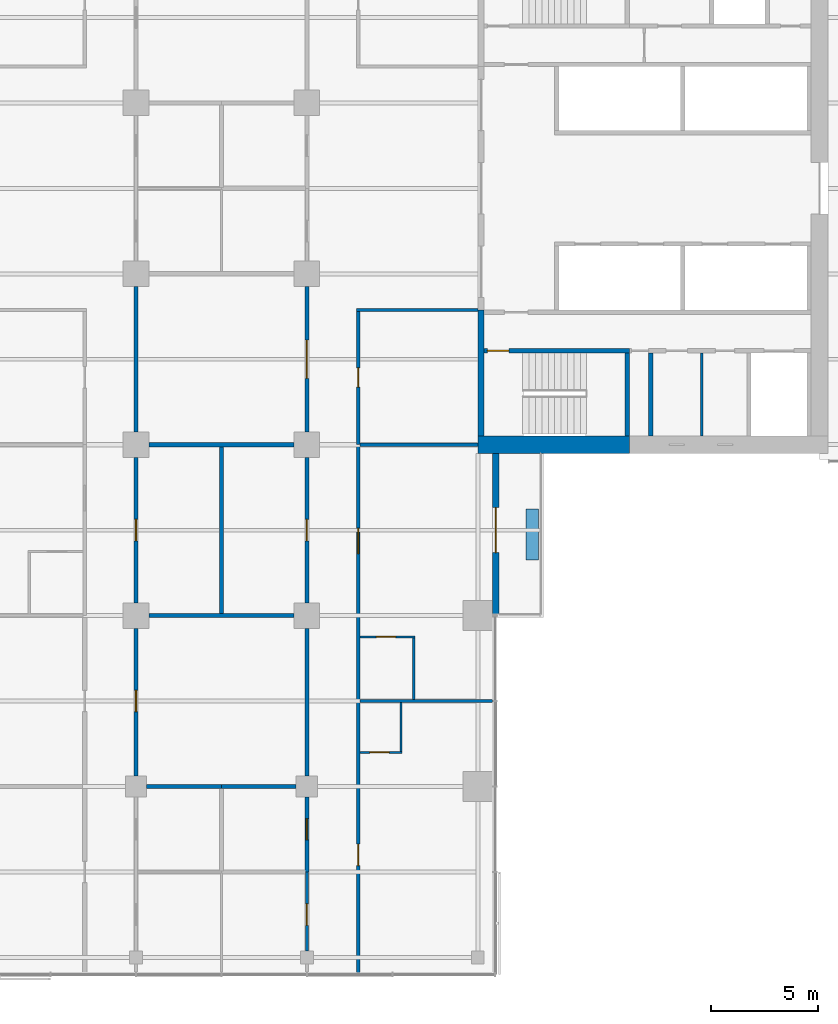
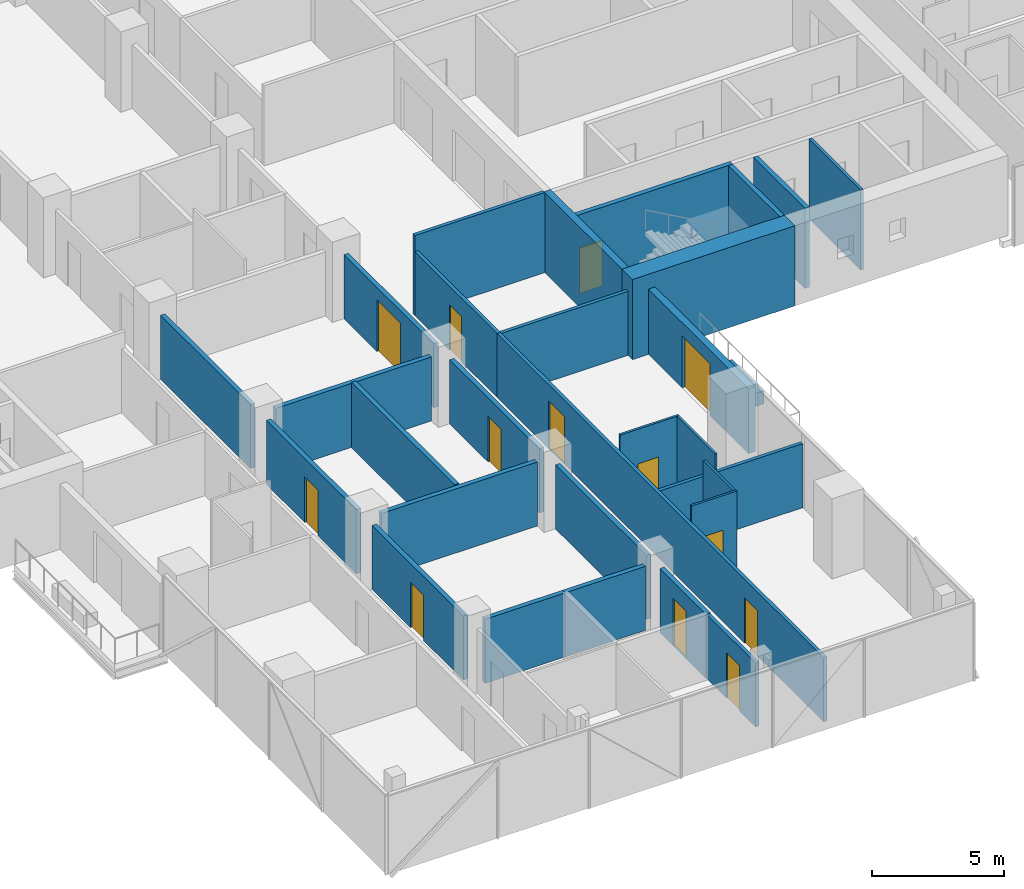
# One storey, part 16 of 27: 30 walls, 13 doors, 13 openings.
"""IFC4 building model written with IfcOpenShell, lengths in metres."""

from ifc_helpers import new_model, si_unit, direction, frame, frame_2d, origin, place, context, subcontext, project, spatial, rectangle, extrude, material, layer, layer_set, constituent, constituent_set, type_object, element, fill, save


model = new_model("IFC4")

# Units and contexts
model_context = context("Model", 3, precision=1e-05, world=origin(), true_north=direction((0.0, 1.0)))
body_context = subcontext(model_context, "Body", "Model", "MODEL_VIEW")
ifc_project = project(units=[si_unit("LENGTHUNIT", "METRE"), si_unit("AREAUNIT", "SQUARE_METRE"), si_unit("VOLUMEUNIT", "CUBIC_METRE"), si_unit("PLANEANGLEUNIT", "RADIAN"), si_unit("MASSUNIT", "GRAM", prefix="KILO")], contexts=[model_context])

# Site, building, storey
site_placement = place(None, origin())
site = spatial("IfcSite", under=ifc_project, at=site_placement, CompositionType="ELEMENT")
building_placement = place(site_placement, origin())
building = spatial("IfcBuilding", under=site, at=building_placement, Name="Crosswind Convention Tower", CompositionType="ELEMENT")
storey_placement = place(building_placement, frame((0.0, 0.0, 94.199951171875)))
storey = spatial("IfcBuildingStorey", under=building, at=storey_placement, Name="L18", CompositionType="ELEMENT", Elevation=94.199951171875)

# Walls
ifc_material_1 = material(Name="Concrete blockwork", Category="masonry")
ifc_layer_1 = layer(ifc_material_1, 0.199951171875)
ifc_layer_set_1 = layer_set([ifc_layer_1], Name="Blockwork partition wall 200")
wall_type_1 = type_object("IfcWallType", Name="Blockwork partition wall 200", PredefinedType="PARTITIONING", material=ifc_layer_set_1)
wall_1_placement = place(storey_placement, frame((145.10009765625, 88.39990234375, 0.0), z_axis=(0.0, 0.0, 1.0), x_axis=(0.0, 1.0, 0.0)))
element("IfcWall", 1, at=wall_1_placement, inside=storey, type_object=wall_type_1, Name="Wall MRSE E L18", PredefinedType="PARTITIONING", context=body_context, shape_type="SweptSolid", body=[
    extrude(rectangle(XDim=3.900146484375, YDim=0.199951171875, at=frame_2d((1.9501953125, 0.0))), origin(), (0.0, 0.0, 1.0), 3.699951171875),
])
ifc_layer_2 = layer(ifc_material_1, 0.199951171875)
ifc_layer_set_2 = layer_set([ifc_layer_2], Name="COMPARTMENT WALL 200")
wall_type_2 = type_object("IfcWallType", Name="COMPARTMENT WALL 200", PredefinedType="SOLIDWALL", material=ifc_layer_set_2)
wall_2_placement = place(storey_placement, frame((125.0, 72.0, 0.0), z_axis=(0.0, 0.0, 1.0), x_axis=(1.0, 0.0, 0.0)))
element("IfcWall", 2, at=wall_2_placement, inside=storey, type_object=wall_type_2, Name="Compartment Wall 5", PredefinedType="SOLIDWALL", context=body_context, shape_type="SweptSolid", body=[
    extrude(rectangle(XDim=3.5, YDim=0.199951171875, at=frame_2d((1.75, 0.0))), origin(), (0.0, 0.0, 1.0), 2.9599609375),
])

# Wall, opening, door
wall_3_placement = place(storey_placement, frame((129.0, 68.0, 0.0), z_axis=(0.0, 0.0, 1.0), x_axis=(0.0, 1.0, 0.0)))
wall_3 = element("IfcWall", 3, at=wall_3_placement, inside=storey, type_object=wall_type_2, Name="Compartment Wall 103", PredefinedType="SOLIDWALL", context=body_context, shape_type="SweptSolid", body=[
    extrude(rectangle(XDim=3.5, YDim=0.199951171875, at=frame_2d((1.75, 0.0))), origin(), (0.0, 0.0, 1.0), 2.9599609375),
])
opening_1_placement = place(wall_3_placement, frame((1.5, 0.0, 0.0)))
opening_1 = element("IfcOpeningElement", 4, at=opening_1_placement, cuts=wall_3, Name="Opening 18.053", PredefinedType="OPENING", context=body_context, shape_type="SweptSolid", body=[
    extrude(rectangle(XDim=1.0, YDim=2.199951171875, at=frame_2d((0.5, 1.10009765625))), frame((0.0, 0.10986328125, 0.0), z_axis=(0.0, -1.0, 0.0), x_axis=(1.0, 0.0, 0.0)), (0.0, 0.0, 1.0), 0.219970703125),
])
ifc_material_2 = material(Name="Steel fire door", Category="steel")
door_type_1 = type_object("IfcDoorType", Name="PLANT ROOM DOOR 1000X2200", OperationType="NOTDEFINED", PredefinedType="DOOR", material=ifc_material_2)
door_1_placement = place(opening_1_placement, origin())
door_1 = element("IfcDoor", 5, at=door_1_placement, inside=storey, type_object=door_type_1, Name="Door 18.053", ObjectType="D6", OperationType="SINGLE_SWING_RIGHT", OverallHeight=2.199951171875, OverallWidth=1.0, PredefinedType="DOOR", context=body_context, shape_type="SweptSolid", body=[
    extrude(rectangle(XDim=1.0, YDim=2.199951171875, at=frame_2d((0.5, 1.10009765625))), frame((0.0, 0.02490234375, 0.0), z_axis=(0.0, -1.0, 0.0), x_axis=(1.0, 0.0, 0.0)), (0.0, 0.0, 1.0), 0.050048828125),
])
fill(opening_1, door_1)

# Wall
ifc_material_3 = material(Name="Plasterboard partition", Category="gypsum")
ifc_layer_3 = layer(ifc_material_3, 0.14990234375)
ifc_layer_set_3 = layer_set([ifc_layer_3], Name="CORRIDOR WALL 150")
wall_type_3 = type_object("IfcWallType", Name="CORRIDOR WALL 150", PredefinedType="PARTITIONING", material=ifc_layer_set_3)
wall_4_placement = place(storey_placement, frame((131.324951171875, 94.300048828125, 0.0), z_axis=(0.0, 0.0, 1.0), x_axis=(1.0, 0.0, 0.0)))
element("IfcWall", 6, at=wall_4_placement, inside=storey, type_object=wall_type_3, Name="Corridor Wall 19", PredefinedType="PARTITIONING", context=body_context, shape_type="SweptSolid", body=[
    extrude(rectangle(XDim=5.675048828125, YDim=0.14990234375, at=frame_2d((2.83740234375, 0.0))), origin(), (0.0, 0.0, 1.0), 3.699951171875),
])

# Wall, opening, door
wall_5_placement = place(storey_placement, frame((129.0, 64.300048828125, 0.0), z_axis=(0.0, 0.0, 1.0), x_axis=(0.0, 1.0, 0.0)))
wall_5 = element("IfcWall", 7, at=wall_5_placement, inside=storey, type_object=wall_type_3, Name="Corridor Wall 102", PredefinedType="PARTITIONING", context=body_context, shape_type="SweptSolid", body=[
    extrude(rectangle(XDim=3.699951171875, YDim=0.14990234375, at=frame_2d((1.85009765625, 0.0))), origin(), (0.0, 0.0, 1.0), 2.9599609375),
])
opening_2_placement = place(wall_5_placement, frame((1.199951171875, 0.0, 0.0)))
opening_2 = element("IfcOpeningElement", 8, at=opening_2_placement, cuts=wall_5, Name="Opening 18.052", PredefinedType="OPENING", context=body_context, shape_type="SweptSolid", body=[
    extrude(rectangle(XDim=1.0, YDim=2.10009765625, at=frame_2d((0.5, 1.050048828125))), frame((0.0, 0.0849609375, 0.0), z_axis=(0.0, -1.0, 0.0), x_axis=(1.0, 0.0, 0.0)), (0.0, 0.0, 1.0), 0.169921875),
])
ifc_material_4 = material(Name="Timber fire door", Category="wood")
door_type_2 = type_object("IfcDoorType", Name="SERVICE ROOM DOOR 1000X2100", OperationType="NOTDEFINED", PredefinedType="DOOR", material=ifc_material_4)
door_2_placement = place(opening_2_placement, origin())
door_2 = element("IfcDoor", 9, at=door_2_placement, inside=storey, type_object=door_type_2, Name="Door 18.052", ObjectType="D3", OperationType="SINGLE_SWING_LEFT", OverallHeight=2.10009765625, OverallWidth=1.0, PredefinedType="DOOR", context=body_context, shape_type="SweptSolid", body=[
    extrude(rectangle(XDim=1.0, YDim=2.10009765625, at=frame_2d((0.5, 1.050048828125))), frame((0.0, 0.02490234375, 0.0), z_axis=(0.0, -1.0, 0.0), x_axis=(1.0, 0.0, 0.0)), (0.0, 0.0, 1.0), 0.050048828125),
])
fill(opening_2, door_2)

wall_6_placement = place(storey_placement, frame((131.39990234375, 88.0, 0.0), z_axis=(0.0, 0.0, 1.0), x_axis=(0.0, 1.0, 0.0)))
wall_6 = element("IfcWall", 10, at=wall_6_placement, inside=storey, type_object=wall_type_3, Name="Corridor Wall 115", PredefinedType="PARTITIONING", context=body_context, shape_type="SweptSolid", body=[
    extrude(rectangle(XDim=6.22509765625, YDim=0.14990234375, at=frame_2d((3.112548828125, 0.0))), origin(), (0.0, 0.0, 1.0), 2.95654296875),
])
opening_3_placement = place(wall_6_placement, frame((2.699951171875, 0.0, 0.0)))
opening_3 = element("IfcOpeningElement", 11, at=opening_3_placement, cuts=wall_6, Name="Opening 18.002", PredefinedType="OPENING", context=body_context, shape_type="SweptSolid", body=[
    extrude(rectangle(XDim=0.89990234375, YDim=2.10009765625, at=frame_2d((0.449951171875, 1.050048828125))), frame((0.0, 0.0849609375, 0.0), z_axis=(0.0, -1.0, 0.0), x_axis=(1.0, 0.0, 0.0)), (0.0, 0.0, 1.0), 0.169921875),
])
ifc_material_5 = material(Name="Timber door", Category="wood")
door_type_3 = type_object("IfcDoorType", Name="WC DOOR 900X2100", OperationType="NOTDEFINED", PredefinedType="DOOR", material=ifc_material_5)
door_3_placement = place(opening_3_placement, frame((0.89990234375, 0.0, 0.0), z_axis=(0.0, 0.0, 1.0), x_axis=(-1.0, 0.0, 0.0)))
door_3 = element("IfcDoor", 12, at=door_3_placement, inside=storey, type_object=door_type_3, Name="Door 18.002", ObjectType="D7", OperationType="SINGLE_SWING_LEFT", OverallHeight=2.10009765625, OverallWidth=0.89990234375, PredefinedType="DOOR", context=body_context, shape_type="SweptSolid", body=[
    extrude(rectangle(XDim=0.89990234375, YDim=2.10009765625, at=frame_2d((0.449951171875, 1.050048828125))), frame((0.0, 0.02490234375, 0.0), z_axis=(0.0, -1.0, 0.0), x_axis=(1.0, 0.0, 0.0)), (0.0, 0.0, 1.0), 0.050048828125),
])
fill(opening_3, door_3)

# Walls
ifc_material_6 = material(Name="Concrete C50/60", Category="concrete")
ifc_layer_4 = layer(ifc_material_6, 0.300048828125)
ifc_layer_set_4 = layer_set([ifc_layer_4], Name="Concrete C50/60")
wall_type_4 = type_object("IfcWallType", Name="Concrete inner core wall 300", PredefinedType="SHEAR", material=ifc_layer_set_4)
wall_7_placement = place(storey_placement, frame((137.14990234375, 88.39990234375, 0.0), z_axis=(0.0, 0.0, 1.0), x_axis=(0.0, 1.0, 0.0)))
element("IfcWall", 13, at=wall_7_placement, inside=storey, type_object=wall_type_4, Name="Wall EM E L18", PredefinedType="SHEAR", context=body_context, shape_type="SweptSolid", body=[
    extrude(rectangle(XDim=5.900146484375, YDim=0.300048828125, at=frame_2d((2.9501953125, 0.0))), origin(), (0.0, 0.0, 1.0), 3.699951171875),
])
ifc_layer_5 = layer(ifc_material_6, 0.199951171875)
ifc_layer_set_5 = layer_set([ifc_layer_5], Name="Concrete C50/60")
wall_type_5 = type_object("IfcWallType", Name="Concrete shaft and stair wall 200", PredefinedType="SHEAR", material=ifc_layer_set_5)
wall_8_placement = place(storey_placement, frame((144.0, 88.39990234375, 0.0), z_axis=(0.0, 0.0, 1.0), x_axis=(0.0, 1.0, 0.0)))
element("IfcWall", 14, at=wall_8_placement, inside=storey, type_object=wall_type_5, Name="Wall MSE E L18", PredefinedType="SHEAR", context=body_context, shape_type="SweptSolid", body=[
    extrude(rectangle(XDim=3.900146484375, YDim=0.199951171875, at=frame_2d((1.9501953125, 0.0))), origin(), (0.0, 0.0, 1.0), 3.699951171875),
])

# Wall, opening, door
wall_9_placement = place(storey_placement, frame((137.300048828125, 92.39990234375, 0.0), z_axis=(0.0, 0.0, 1.0), x_axis=(1.0, 0.0, 0.0)))
wall_9 = element("IfcWall", 15, at=wall_9_placement, inside=storey, type_object=wall_type_5, Name="Wall MCW E L18", PredefinedType="SHEAR", context=body_context, shape_type="SweptSolid", body=[
    extrude(rectangle(XDim=6.800048828125, YDim=0.199951171875, at=frame_2d((3.39990234375, 0.0))), origin(), (0.0, 0.0, 1.0), 3.699951171875),
])
opening_4_placement = place(wall_9_placement, frame((0.14990234375, 0.0, 0.0)))
opening_4 = element("IfcOpeningElement", 16, at=opening_4_placement, cuts=wall_9, Name="Opening D103", PredefinedType="OPENING", context=body_context, shape_type="SweptSolid", body=[
    extrude(rectangle(XDim=1.0, YDim=2.10009765625, at=frame_2d((0.5, 1.050048828125))), frame((0.0, 0.10986328125, 0.0), z_axis=(0.0, -1.0, 0.0), x_axis=(1.0, 0.0, 0.0)), (0.0, 0.0, 1.0), 0.219970703125),
])
door_type_4 = type_object("IfcDoorType", Name="Fire-rated single door 1000x2100", OperationType="NOTDEFINED", PredefinedType="DOOR", material=ifc_material_2)
door_4_placement = place(opening_4_placement, frame((1.0, 0.0, 0.0), z_axis=(0.0, 0.0, 1.0), x_axis=(-1.0, 0.0, 0.0)))
door_4 = element("IfcDoor", 17, at=door_4_placement, inside=storey, type_object=door_type_4, Name="Stair ST2 door L18", ObjectType="D103", OperationType="SINGLE_SWING_RIGHT", OverallHeight=2.10009765625, OverallWidth=1.0, PredefinedType="DOOR", context=body_context, shape_type="SweptSolid", body=[
    extrude(rectangle(XDim=1.0, YDim=2.10009765625, at=frame_2d((0.5, 1.050048828125))), frame((0.0, 0.02490234375, 0.0), z_axis=(0.0, -1.0, 0.0), x_axis=(1.0, 0.0, 0.0)), (0.0, 0.0, 1.0), 0.050048828125),
])
fill(opening_4, door_4)

# Walls
ifc_material_7 = material(Name="Gypsum plasterboard partition", Category="gypsum")
ifc_layer_6 = layer(ifc_material_7, 0.125)
ifc_layer_set_6 = layer_set([ifc_layer_6], Name="Drywall partition wall 125")
wall_type_6 = type_object("IfcWallType", Name="Drywall partition wall 125", PredefinedType="PARTITIONING", material=ifc_layer_set_6)
wall_10_placement = place(storey_placement, frame((147.488037109375, 88.39990234375, 0.0), z_axis=(0.0, 0.0, 1.0), x_axis=(0.0, 1.0, 0.0)))
element("IfcWall", 18, at=wall_10_placement, inside=storey, type_object=wall_type_6, Name="Wall MWP1 E L18", PredefinedType="PARTITIONING", context=body_context, shape_type="SweptSolid", body=[
    extrude(rectangle(XDim=3.900146484375, YDim=0.125, at=frame_2d((1.9501953125, 0.0))), origin(), (0.0, 0.0, 1.0), 3.699951171875),
])
ifc_material_8 = material(Name="Acoustic plasterboard partition", Category="gypsum")
ifc_layer_7 = layer(ifc_material_8, 0.14990234375)
ifc_layer_set_7 = layer_set([ifc_layer_7], Name="GUEST ROOM WALL 150")
wall_type_7 = type_object("IfcWallType", Name="GUEST ROOM WALL 150", PredefinedType="PARTITIONING", material=ifc_layer_set_7)
wall_11_placement = place(storey_placement, frame((131.47509765625, 76.0, 0.0), z_axis=(0.0, 0.0, 1.0), x_axis=(1.0, 0.0, 0.0)))
element("IfcWall", 19, at=wall_11_placement, inside=storey, type_object=wall_type_7, Name="Guest Room Wall 7", PredefinedType="PARTITIONING", context=body_context, shape_type="SweptSolid", body=[
    extrude(rectangle(XDim=6.224853515625, YDim=0.14990234375, at=frame_2d((3.1123046875, 0.0))), origin(), (0.0, 0.0, 1.0), 2.962890625),
])
wall_12_placement = place(storey_placement, frame((131.47509765625, 88.0, 0.0), z_axis=(0.0, 0.0, 1.0), x_axis=(1.0, 0.0, 0.0)))
element("IfcWall", 20, at=wall_12_placement, inside=storey, type_object=wall_type_7, Name="Guest Room Wall 14", PredefinedType="PARTITIONING", context=body_context, shape_type="SweptSolid", body=[
    extrude(rectangle(XDim=5.52490234375, YDim=0.14990234375, at=frame_2d((2.762451171875, 0.0))), origin(), (0.0, 0.0, 1.0), 2.95654296875),
])

# Wall, openings, doors
wall_13_placement = place(storey_placement, frame((131.39990234375, 63.300048828125, 0.0), z_axis=(0.0, 0.0, 1.0), x_axis=(0.0, 1.0, 0.0)))
wall_13 = element("IfcWall", 21, at=wall_13_placement, inside=storey, type_object=wall_type_7, Name="Guest Room Wall 114", PredefinedType="PARTITIONING", context=body_context, shape_type="SweptSolid", body=[
    extrude(rectangle(XDim=24.699951171875, YDim=0.14990234375, at=frame_2d((12.35009765625, 0.0))), origin(), (0.0, 0.0, 1.0), 2.95654296875),
])
opening_5_placement = place(wall_13_placement, frame((19.60009765625, 0.0, 0.0)))
opening_5 = element("IfcOpeningElement", 22, at=opening_5_placement, cuts=wall_13, Name="Opening 18.020", PredefinedType="OPENING", context=body_context, shape_type="SweptSolid", body=[
    extrude(rectangle(XDim=1.199951171875, YDim=2.199951171875, at=frame_2d((0.60009765625, 1.10009765625))), frame((0.0, 0.0849609375, 0.0), z_axis=(0.0, -1.0, 0.0), x_axis=(1.0, 0.0, 0.0)), (0.0, 0.0, 1.0), 0.169921875),
])
opening_6_placement = place(wall_13_placement, frame((5.0, 0.0, 0.0)))
opening_6 = element("IfcOpeningElement", 23, at=opening_6_placement, cuts=wall_13, Name="Opening 18.022", PredefinedType="OPENING", context=body_context, shape_type="SweptSolid", body=[
    extrude(rectangle(XDim=1.0, YDim=2.10009765625, at=frame_2d((0.5, 1.050048828125))), frame((0.0, 0.0849609375, 0.0), z_axis=(0.0, -1.0, 0.0), x_axis=(1.0, 0.0, 0.0)), (0.0, 0.0, 1.0), 0.169921875),
])
door_type_5 = type_object("IfcDoorType", Name="GUEST ROOM DOOR 1000X2100", OperationType="NOTDEFINED", PredefinedType="DOOR", material=ifc_material_4)
door_5_placement = place(opening_6_placement, frame((1.0, 0.0, 0.0), z_axis=(0.0, 0.0, 1.0), x_axis=(-1.0, 0.0, 0.0)))
door_5 = element("IfcDoor", 24, at=door_5_placement, inside=storey, type_object=door_type_5, Name="Door 18.022", ObjectType="D1", OperationType="SINGLE_SWING_LEFT", OverallHeight=2.10009765625, OverallWidth=1.0, PredefinedType="DOOR", context=body_context, shape_type="SweptSolid", body=[
    extrude(rectangle(XDim=1.0, YDim=2.10009765625, at=frame_2d((0.5, 1.050048828125))), frame((0.0, 0.02490234375, 0.0), z_axis=(0.0, -1.0, 0.0), x_axis=(1.0, 0.0, 0.0)), (0.0, 0.0, 1.0), 0.050048828125),
])
fill(opening_6, door_5)
door_type_6 = type_object("IfcDoorType", Name="SUITE DOOR 1200X2200", OperationType="DOUBLE_DOOR_SINGLE_SWING", PredefinedType="DOOR", material=ifc_material_4)
door_6_placement = place(opening_5_placement, frame((1.199951171875, 0.0, 0.0), z_axis=(0.0, 0.0, 1.0), x_axis=(-1.0, 0.0, 0.0)))
door_6 = element("IfcDoor", 25, at=door_6_placement, inside=storey, type_object=door_type_6, Name="Door 18.020", ObjectType="D14", OperationType="DOUBLE_DOOR_SINGLE_SWING", OverallHeight=2.199951171875, OverallWidth=1.199951171875, PredefinedType="DOOR", context=body_context, shape_type="SweptSolid", body=[
    extrude(rectangle(XDim=1.199951171875, YDim=2.199951171875, at=frame_2d((0.60009765625, 1.10009765625))), frame((0.0, 0.02490234375, 0.0), z_axis=(0.0, -1.0, 0.0), x_axis=(1.0, 0.0, 0.0)), (0.0, 0.0, 1.0), 0.050048828125),
])
fill(opening_5, door_6)

# Walls
ifc_material_9 = material(Name="Double plasterboard partition", Category="gypsum")
ifc_layer_8 = layer(ifc_material_9, 0.199951171875)
ifc_layer_set_8 = layer_set([ifc_layer_8], Name="HALL WALL 200")
wall_type_8 = type_object("IfcWallType", Name="HALL WALL 200", PredefinedType="PARTITIONING", material=ifc_layer_set_8)
wall_14_placement = place(storey_placement, frame((121.5, 72.0, 0.0), z_axis=(0.0, 0.0, 1.0), x_axis=(1.0, 0.0, 0.0)))
element("IfcWall", 26, at=wall_14_placement, inside=storey, type_object=wall_type_8, Name="Hall Wall 4", PredefinedType="PARTITIONING", context=body_context, shape_type="SweptSolid", body=[
    extrude(rectangle(XDim=3.5, YDim=0.199951171875, at=frame_2d((1.75, 0.0))), origin(), (0.0, 0.0, 1.0), 2.9599609375),
])
for number, where, z_axis, x_axis, name in (
    (27, (121.60009765625, 80.0, 0.0), (0.0, 0.0, 1.0), (1.0, 0.0, 0.0), "Hall Wall 10"),
    (28, (121.60009765625, 88.0, 0.0), (0.0, 0.0, 1.0), (1.0, 0.0, 0.0), "Hall Wall 13"),
):
    element("IfcWall", number, at=place(storey_placement, frame(where, z_axis=z_axis, x_axis=x_axis)), inside=storey, type_object=wall_type_8, Name=name, PredefinedType="PARTITIONING", context=body_context, shape_type="SweptSolid", body=[
        extrude(rectangle(XDim=6.7998046875, YDim=0.199951171875, at=frame_2d((3.39990234375, 0.0))), origin(), (0.0, 0.0, 1.0), 2.9599609375),
    ])

# Wall, opening, door
wall_15_placement = place(storey_placement, frame((121.0, 72.5, 0.0), z_axis=(0.0, 0.0, 1.0), x_axis=(0.0, 1.0, 0.0)))
wall_15 = element("IfcWall", 29, at=wall_15_placement, inside=storey, type_object=wall_type_8, Name="Hall Wall 85", PredefinedType="PARTITIONING", context=body_context, shape_type="SweptSolid", body=[
    extrude(rectangle(XDim=6.89990234375, YDim=0.199951171875, at=frame_2d((3.449951171875, 0.0))), origin(), (0.0, 0.0, 1.0), 2.9599609375),
])
opening_7_placement = place(wall_15_placement, frame((3.0, 0.0, 0.0)))
opening_7 = element("IfcOpeningElement", 30, at=opening_7_placement, cuts=wall_15, Name="Opening 18.054", PredefinedType="OPENING", context=body_context, shape_type="SweptSolid", body=[
    extrude(rectangle(XDim=1.0, YDim=2.10009765625, at=frame_2d((0.5, 1.050048828125))), frame((0.0, 0.10986328125, 0.0), z_axis=(0.0, -1.0, 0.0), x_axis=(1.0, 0.0, 0.0)), (0.0, 0.0, 1.0), 0.219970703125),
])
door_type_7 = type_object("IfcDoorType", Name="MEETING ROOM DOOR 1000X2100", OperationType="NOTDEFINED", PredefinedType="DOOR", material=ifc_material_4)
door_7_placement = place(opening_7_placement, origin())
door_7 = element("IfcDoor", 31, at=door_7_placement, inside=storey, type_object=door_type_7, Name="Door 18.054", ObjectType="D13", OperationType="SINGLE_SWING_RIGHT", OverallHeight=2.10009765625, OverallWidth=1.0, PredefinedType="DOOR", context=body_context, shape_type="SweptSolid", body=[
    extrude(rectangle(XDim=1.0, YDim=2.10009765625, at=frame_2d((0.5, 1.050048828125))), frame((0.0, 0.02490234375, 0.0), z_axis=(0.0, -1.0, 0.0), x_axis=(1.0, 0.0, 0.0)), (0.0, 0.0, 1.0), 0.050048828125),
])
fill(opening_7, door_7)

wall_16_placement = place(storey_placement, frame((121.0, 80.60009765625, 0.0), z_axis=(0.0, 0.0, 1.0), x_axis=(0.0, 1.0, 0.0)))
wall_16 = element("IfcWall", 32, at=wall_16_placement, inside=storey, type_object=wall_type_8, Name="Hall Wall 86", PredefinedType="PARTITIONING", context=body_context, shape_type="SweptSolid", body=[
    extrude(rectangle(XDim=6.7998046875, YDim=0.199951171875, at=frame_2d((3.39990234375, 0.0))), origin(), (0.0, 0.0, 1.0), 2.9599609375),
])
opening_8_placement = place(wall_16_placement, frame((2.89990234375, 0.0, 0.0)))
opening_8 = element("IfcOpeningElement", 33, at=opening_8_placement, cuts=wall_16, Name="Opening 18.055", PredefinedType="OPENING", context=body_context, shape_type="SweptSolid", body=[
    extrude(rectangle(XDim=1.0, YDim=2.10009765625, at=frame_2d((0.5, 1.050048828125))), frame((0.0, 0.10986328125, 0.0), z_axis=(0.0, -1.0, 0.0), x_axis=(1.0, 0.0, 0.0)), (0.0, 0.0, 1.0), 0.219970703125),
])
door_8_placement = place(opening_8_placement, frame((1.0, 0.0, 0.0), z_axis=(0.0, 0.0, 1.0), x_axis=(-1.0, 0.0, 0.0)))
door_8 = element("IfcDoor", 34, at=door_8_placement, inside=storey, type_object=door_type_7, Name="Door 18.055", ObjectType="D13", OperationType="SINGLE_SWING_LEFT", OverallHeight=2.10009765625, OverallWidth=1.0, PredefinedType="DOOR", context=body_context, shape_type="SweptSolid", body=[
    extrude(rectangle(XDim=1.0, YDim=2.10009765625, at=frame_2d((0.5, 1.050048828125))), frame((0.0, 0.02490234375, 0.0), z_axis=(0.0, -1.0, 0.0), x_axis=(1.0, 0.0, 0.0)), (0.0, 0.0, 1.0), 0.050048828125),
])
fill(opening_8, door_8)

# Walls
wall_17_placement = place(storey_placement, frame((121.0, 88.60009765625, 0.0), z_axis=(0.0, 0.0, 1.0), x_axis=(0.0, 1.0, 0.0)))
element("IfcWall", 35, at=wall_17_placement, inside=storey, type_object=wall_type_8, Name="Hall Wall 87", PredefinedType="PARTITIONING", context=body_context, shape_type="SweptSolid", body=[
    extrude(rectangle(XDim=6.7998046875, YDim=0.199951171875, at=frame_2d((3.39990234375, 0.0))), origin(), (0.0, 0.0, 1.0), 2.9599609375),
])
wall_18_placement = place(storey_placement, frame((125.0, 80.10009765625, 0.0), z_axis=(0.0, 0.0, 1.0), x_axis=(0.0, 1.0, 0.0)))
element("IfcWall", 36, at=wall_18_placement, inside=storey, type_object=wall_type_8, Name="Hall Wall 96", PredefinedType="PARTITIONING", context=body_context, shape_type="SweptSolid", body=[
    extrude(rectangle(XDim=7.7998046875, YDim=0.199951171875, at=frame_2d((3.89990234375, 0.0))), origin(), (0.0, 0.0, 1.0), 3.013671875),
])
wall_19_placement = place(storey_placement, frame((129.0, 72.5, 0.0), z_axis=(0.0, 0.0, 1.0), x_axis=(0.0, 1.0, 0.0)))
element("IfcWall", 37, at=wall_19_placement, inside=storey, type_object=wall_type_8, Name="Hall Wall 104", PredefinedType="PARTITIONING", context=body_context, shape_type="SweptSolid", body=[
    extrude(rectangle(XDim=6.89990234375, YDim=0.199951171875, at=frame_2d((3.449951171875, 0.0))), origin(), (0.0, 0.0, 1.0), 2.9599609375),
])

# Wall, opening, door
wall_20_placement = place(storey_placement, frame((129.0, 80.60009765625, 0.0), z_axis=(0.0, 0.0, 1.0), x_axis=(0.0, 1.0, 0.0)))
wall_20 = element("IfcWall", 38, at=wall_20_placement, inside=storey, type_object=wall_type_8, Name="Hall Wall 105", PredefinedType="PARTITIONING", context=body_context, shape_type="SweptSolid", body=[
    extrude(rectangle(XDim=6.7998046875, YDim=0.199951171875, at=frame_2d((3.39990234375, 0.0))), origin(), (0.0, 0.0, 1.0), 2.9599609375),
])
opening_9_placement = place(wall_20_placement, frame((2.89990234375, 0.0, 0.0)))
opening_9 = element("IfcOpeningElement", 39, at=opening_9_placement, cuts=wall_20, Name="Opening 18.056", PredefinedType="OPENING", context=body_context, shape_type="SweptSolid", body=[
    extrude(rectangle(XDim=1.0, YDim=2.10009765625, at=frame_2d((0.5, 1.050048828125))), frame((0.0, 0.10986328125, 0.0), z_axis=(0.0, -1.0, 0.0), x_axis=(1.0, 0.0, 0.0)), (0.0, 0.0, 1.0), 0.219970703125),
])
door_9_placement = place(opening_9_placement, origin())
door_9 = element("IfcDoor", 40, at=door_9_placement, inside=storey, type_object=door_type_7, Name="Door 18.056", ObjectType="D13", OperationType="SINGLE_SWING_RIGHT", OverallHeight=2.10009765625, OverallWidth=1.0, PredefinedType="DOOR", context=body_context, shape_type="SweptSolid", body=[
    extrude(rectangle(XDim=1.0, YDim=2.10009765625, at=frame_2d((0.5, 1.050048828125))), frame((0.0, 0.02490234375, 0.0), z_axis=(0.0, -1.0, 0.0), x_axis=(1.0, 0.0, 0.0)), (0.0, 0.0, 1.0), 0.050048828125),
])
fill(opening_9, door_9)

wall_21_placement = place(storey_placement, frame((129.0, 88.60009765625, 0.0), z_axis=(0.0, 0.0, 1.0), x_axis=(0.0, 1.0, 0.0)))
wall_21 = element("IfcWall", 41, at=wall_21_placement, inside=storey, type_object=wall_type_8, Name="Hall Wall 106", PredefinedType="PARTITIONING", context=body_context, shape_type="SweptSolid", body=[
    extrude(rectangle(XDim=6.7998046875, YDim=0.199951171875, at=frame_2d((3.39990234375, 0.0))), origin(), (0.0, 0.0, 1.0), 2.9599609375),
])
opening_10_placement = place(wall_21_placement, frame((2.5, 0.0, 0.0)))
opening_10 = element("IfcOpeningElement", 42, at=opening_10_placement, cuts=wall_21, Name="Opening 18.057", PredefinedType="OPENING", context=body_context, shape_type="SweptSolid", body=[
    extrude(rectangle(XDim=1.800048828125, YDim=2.39990234375, at=frame_2d((0.89990234375, 1.199951171875))), frame((0.0, 0.10986328125, 0.0), z_axis=(0.0, -1.0, 0.0), x_axis=(1.0, 0.0, 0.0)), (0.0, 0.0, 1.0), 0.219970703125),
])
door_type_8 = type_object("IfcDoorType", Name="HALL DOUBLE DOOR 1800X2400", OperationType="DOUBLE_DOOR_SINGLE_SWING", PredefinedType="DOOR", material=ifc_material_4)
door_10_placement = place(opening_10_placement, frame((1.800048828125, 0.0, 0.0), z_axis=(0.0, 0.0, 1.0), x_axis=(-1.0, 0.0, 0.0)))
door_10 = element("IfcDoor", 43, at=door_10_placement, inside=storey, type_object=door_type_8, Name="Door 18.057", ObjectType="D5", OperationType="DOUBLE_DOOR_SINGLE_SWING", OverallHeight=2.39990234375, OverallWidth=1.800048828125, PredefinedType="DOOR", context=body_context, shape_type="SweptSolid", body=[
    extrude(rectangle(XDim=1.800048828125, YDim=2.39990234375, at=frame_2d((0.89990234375, 1.199951171875))), frame((0.0, 0.02490234375, 0.0), z_axis=(0.0, -1.0, 0.0), x_axis=(1.0, 0.0, 0.0)), (0.0, 0.0, 1.0), 0.050048828125),
])
fill(opening_10, door_10)

# Wall
ifc_material_10 = material(Name="Concrete C30/37", Category="concrete")
ifc_layer_9 = layer(ifc_material_10, 0.60009765625)
ifc_layer_set_9 = layer_set([ifc_layer_9], Name="Concrete C30/37")
wall_type_9 = type_object("IfcWallType", Name="PLANTER BOX WALL 600", PredefinedType="SOLIDWALL", material=ifc_layer_set_9)
wall_22_placement = place(storey_placement, frame((139.550048828125, 82.60009765625, 0.0), z_axis=(0.0, 0.0, 1.0), x_axis=(0.0, 1.0, 0.0)))
element("IfcWall", 44, at=wall_22_placement, inside=storey, type_object=wall_type_9, Name="PLANTER L18 S-E.1-3", PredefinedType="SOLIDWALL", context=body_context, shape_type="SweptSolid", body=[
    extrude(rectangle(XDim=2.39990234375, YDim=0.60009765625, at=frame_2d((1.199951171875, 0.0))), origin(), (0.0, 0.0, 1.0), 0.60009765625),
])

# Wall, opening, door
ifc_material_11 = material(Name="Terracotta rainscreen", Category="ceramic")
ifc_layer_10 = layer(ifc_material_11, 0.02001953125)
ifc_material_12 = material(Name="Mineral wool insulation", Category="insulation")
ifc_layer_11 = layer(ifc_material_12, 0.10009765625)
ifc_layer_12 = layer(ifc_material_1, 0.179931640625)
ifc_layer_set_10 = layer_set([ifc_layer_10, ifc_layer_11, ifc_layer_12], Name="TERRACOTTA INFILL WALL 300")
wall_type_10 = type_object("IfcWallType", Name="TERRACOTTA INFILL WALL 300", PredefinedType="SOLIDWALL", material=ifc_layer_set_10)
wall_23_placement = place(storey_placement, frame((137.85009765625, 80.032470703125, 0.0), z_axis=(0.0, 0.0, 1.0), x_axis=(0.0, 1.0, 0.0)))
wall_23 = element("IfcWall", 45, at=wall_23_placement, inside=storey, type_object=wall_type_10, Name="Notch front wall L18 S-E.1-3", PredefinedType="SOLIDWALL", context=body_context, shape_type="SweptSolid", body=[
    extrude(rectangle(XDim=7.567626953125, YDim=0.300048828125, at=frame_2d((3.78369140625, 0.0))), origin(), (0.0, 0.0, 1.0), 3.013671875),
])
opening_11_placement = place(wall_23_placement, frame((2.91748046875, 0.0, 0.0)))
opening_11 = element("IfcOpeningElement", 46, at=opening_11_placement, cuts=wall_23, Name="Opening D141", PredefinedType="OPENING", context=body_context, shape_type="SweptSolid", body=[
    extrude(rectangle(XDim=2.10009765625, YDim=2.39990234375, at=frame_2d((1.050048828125, 1.199951171875))), frame((0.0, 0.159912109375, 0.0), z_axis=(0.0, -1.0, 0.0), x_axis=(1.0, 0.0, 0.0)), (0.0, 0.0, 1.0), 0.320068359375),
])
ifc_material_13 = material(Name="Aluminium glazed door", Category="aluminium")
door_type_9 = type_object("IfcDoorType", Name="BALCONY SLIDING DOOR 2100X2400", OperationType="SLIDING_TO_LEFT", PredefinedType="DOOR", material=ifc_material_13)
door_11_placement = place(opening_11_placement, frame((2.10009765625, 0.0, 0.0), z_axis=(0.0, 0.0, 1.0), x_axis=(-1.0, 0.0, 0.0)))
door_11 = element("IfcDoor", 47, at=door_11_placement, inside=storey, type_object=door_type_9, Name="D141 balcony door L18 S-E.1-3", ObjectType="D141", OperationType="SLIDING_TO_LEFT", OverallHeight=2.39990234375, OverallWidth=2.10009765625, PredefinedType="DOOR", context=body_context, shape_type="SweptSolid", body=[
    extrude(rectangle(XDim=2.10009765625, YDim=2.39990234375, at=frame_2d((1.050048828125, 1.199951171875))), frame((0.0, 0.02490234375, 0.0), z_axis=(0.0, -1.0, 0.0), x_axis=(1.0, 0.0, 0.0)), (0.0, 0.0, 1.0), 0.050048828125),
])
fill(opening_11, door_11)

# Wall
ifc_material_14 = material(Name="Concrete C60/75", Category="concrete")
ifc_constituent_1 = constituent(ifc_material_14, Name="Structure")
ifc_constituent_2 = constituent(ifc_material_11, Name="Facing")
ifc_constituent_set = constituent_set(constituents=[ifc_constituent_1, ifc_constituent_2], Name="Concrete C60/75, Terracotta rainscreen")
wall_type_11 = type_object("IfcWallType", Name="Terracotta rainscreen on concrete core wall 800", PredefinedType="SHEAR", material=ifc_constituent_set)
wall_24_placement = place(storey_placement, frame((137.0, 88.0, 0.0), z_axis=(0.0, 0.0, 1.0), x_axis=(1.0, 0.0, 0.0)))
element("IfcWall", 48, at=wall_24_placement, inside=storey, type_object=wall_type_11, Name="Wall S1 E L18", PredefinedType="SHEAR", context=body_context, shape_type="SweptSolid", body=[
    extrude(rectangle(XDim=7.10009765625, YDim=0.800048828125, at=frame_2d((3.550048828125, 0.0))), origin(), (0.0, 0.0, 1.0), 3.699951171875),
])

# Wall, opening, door
ifc_material_15 = material(Name="Water-resistant plasterboard partition", Category="gypsum")
ifc_layer_13 = layer(ifc_material_15, 0.10009765625)
ifc_layer_set_11 = layer_set([ifc_layer_13], Name="WET ROOM PARTITION 100")
wall_type_12 = type_object("IfcWallType", Name="WET ROOM PARTITION 100", PredefinedType="PLUMBINGWALL", material=ifc_layer_set_11)
wall_25_placement = place(storey_placement, frame((131.47509765625, 73.60009765625, 0.0), z_axis=(0.0, 0.0, 1.0), x_axis=(1.0, 0.0, 0.0)))
wall_25 = element("IfcWall", 49, at=wall_25_placement, inside=storey, type_object=wall_type_12, Name="Wet Room Partition 6", PredefinedType="PLUMBINGWALL", context=body_context, shape_type="SweptSolid", body=[
    extrude(rectangle(XDim=1.974853515625, YDim=0.10009765625, at=frame_2d((0.9873046875, 0.0))), origin(), (0.0, 0.0, 1.0), 3.699951171875),
])
opening_12_placement = place(wall_25_placement, frame((0.47509765625, 0.0, 0.0)))
opening_12 = element("IfcOpeningElement", 50, at=opening_12_placement, cuts=wall_25, Name="Opening 18.023", PredefinedType="OPENING", context=body_context, shape_type="SweptSolid", body=[
    extrude(rectangle(XDim=0.89990234375, YDim=2.10009765625, at=frame_2d((0.449951171875, 1.050048828125))), frame((0.0, 0.06005859375, 0.0), z_axis=(0.0, -1.0, 0.0), x_axis=(1.0, 0.0, 0.0)), (0.0, 0.0, 1.0), 0.1201171875),
])
door_type_10 = type_object("IfcDoorType", Name="EN-SUITE DOOR 900X2100", OperationType="NOTDEFINED", PredefinedType="DOOR", material=ifc_material_5)
door_12_placement = place(opening_12_placement, origin())
door_12 = element("IfcDoor", 51, at=door_12_placement, inside=storey, type_object=door_type_10, Name="Door 18.023", ObjectType="D2", OperationType="SINGLE_SWING_RIGHT", OverallHeight=2.10009765625, OverallWidth=0.89990234375, PredefinedType="DOOR", context=body_context, shape_type="SweptSolid", body=[
    extrude(rectangle(XDim=0.89990234375, YDim=2.10009765625, at=frame_2d((0.449951171875, 1.050048828125))), frame((0.0, 0.02490234375, 0.0), z_axis=(0.0, -1.0, 0.0), x_axis=(1.0, 0.0, 0.0)), (0.0, 0.0, 1.0), 0.050048828125),
])
fill(opening_12, door_12)

wall_26_placement = place(storey_placement, frame((131.47509765625, 79.0, 0.0), z_axis=(0.0, 0.0, 1.0), x_axis=(1.0, 0.0, 0.0)))
wall_26 = element("IfcWall", 52, at=wall_26_placement, inside=storey, type_object=wall_type_12, Name="Wet Room Partition 8", PredefinedType="PLUMBINGWALL", context=body_context, shape_type="SweptSolid", body=[
    extrude(rectangle(XDim=2.574951171875, YDim=0.10009765625, at=frame_2d((1.28759765625, 0.0))), origin(), (0.0, 0.0, 1.0), 3.699951171875),
])
opening_13_placement = place(wall_26_placement, frame((0.77490234375, 0.0, 0.0)))
opening_13 = element("IfcOpeningElement", 53, at=opening_13_placement, cuts=wall_26, Name="Opening 18.021", PredefinedType="OPENING", context=body_context, shape_type="SweptSolid", body=[
    extrude(rectangle(XDim=0.89990234375, YDim=2.10009765625, at=frame_2d((0.449951171875, 1.050048828125))), frame((0.0, 0.06005859375, 0.0), z_axis=(0.0, -1.0, 0.0), x_axis=(1.0, 0.0, 0.0)), (0.0, 0.0, 1.0), 0.1201171875),
])
door_13_placement = place(opening_13_placement, frame((0.89990234375, 0.0, 0.0), z_axis=(0.0, 0.0, 1.0), x_axis=(-1.0, 0.0, 0.0)))
door_13 = element("IfcDoor", 54, at=door_13_placement, inside=storey, type_object=door_type_10, Name="Door 18.021", ObjectType="D2", OperationType="SINGLE_SWING_LEFT", OverallHeight=2.10009765625, OverallWidth=0.89990234375, PredefinedType="DOOR", context=body_context, shape_type="SweptSolid", body=[
    extrude(rectangle(XDim=0.89990234375, YDim=2.10009765625, at=frame_2d((0.449951171875, 1.050048828125))), frame((0.0, 0.02490234375, 0.0), z_axis=(0.0, -1.0, 0.0), x_axis=(1.0, 0.0, 0.0)), (0.0, 0.0, 1.0), 0.050048828125),
])
fill(opening_13, door_13)

# Walls
wall_27_placement = place(storey_placement, frame((133.39990234375, 73.64990234375, 0.0), z_axis=(0.0, 0.0, 1.0), x_axis=(0.0, 1.0, 0.0)))
element("IfcWall", 55, at=wall_27_placement, inside=storey, type_object=wall_type_12, Name="Wet Room Partition 119", PredefinedType="PLUMBINGWALL", context=body_context, shape_type="SweptSolid", body=[
    extrude(rectangle(XDim=2.275146484375, YDim=0.10009765625, at=frame_2d((1.1376953125, 0.0))), origin(), (0.0, 0.0, 1.0), 3.699951171875),
])
wall_28_placement = place(storey_placement, frame((134.0, 76.074951171875, 0.0), z_axis=(0.0, 0.0, 1.0), x_axis=(0.0, 1.0, 0.0)))
element("IfcWall", 56, at=wall_28_placement, inside=storey, type_object=wall_type_12, Name="Wet Room Partition 121", PredefinedType="PLUMBINGWALL", context=body_context, shape_type="SweptSolid", body=[
    extrude(rectangle(XDim=2.875, YDim=0.10009765625, at=frame_2d((1.4375, 0.0))), origin(), (0.0, 0.0, 1.0), 3.699951171875),
])

save(model, "model.ifc")
